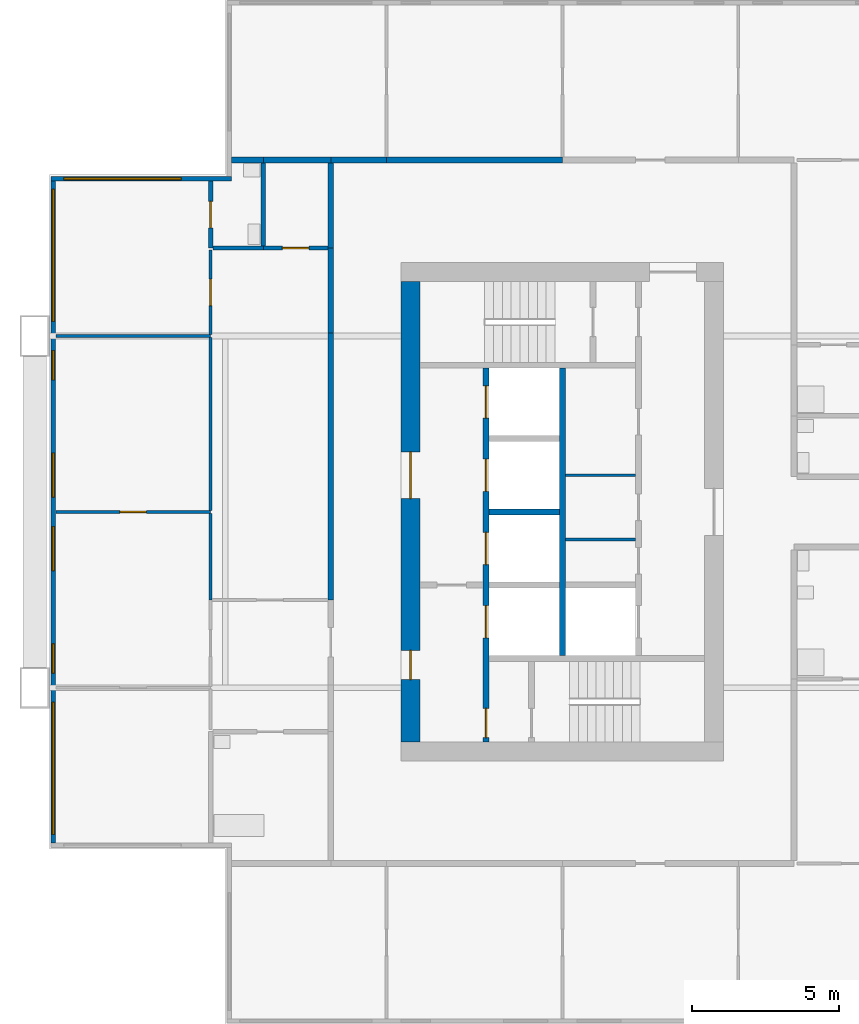
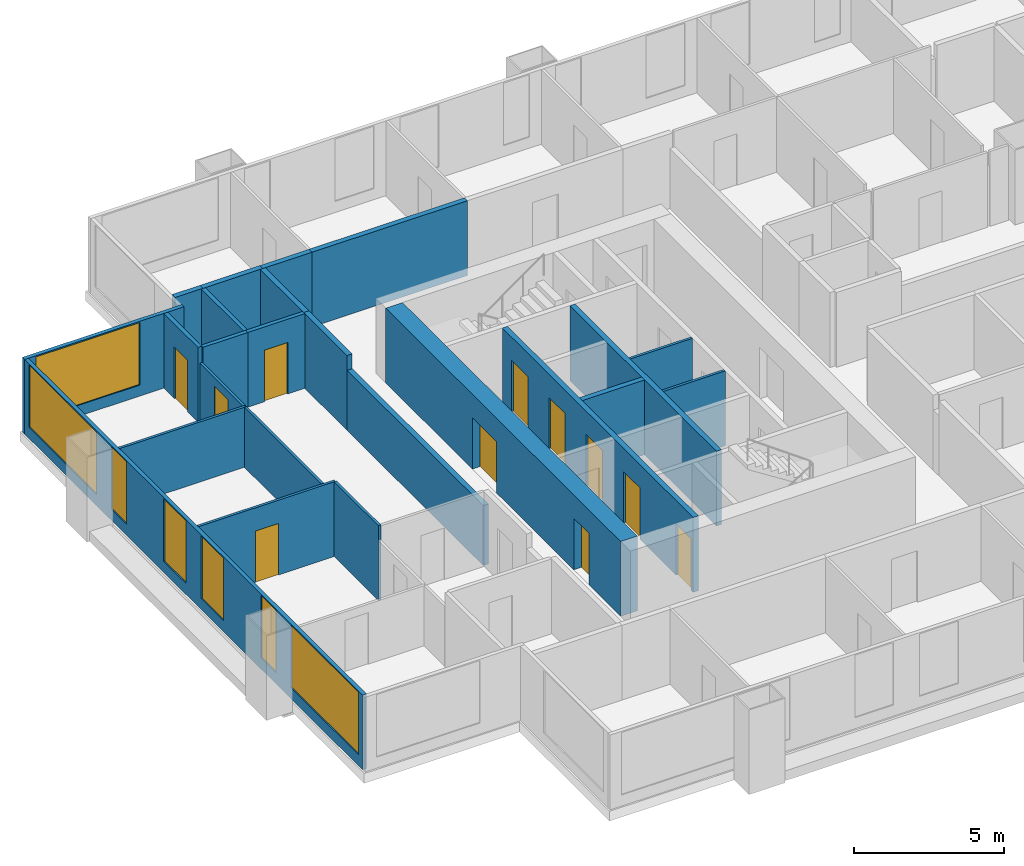
# One storey, part 3 of 12: 24 walls, 11 doors, 7 windows, 18 openings.
"""IFC4 building model written with IfcOpenShell, lengths in metres."""

from ifc_helpers import new_model, si_unit, direction, frame, frame_2d, origin, place, context, subcontext, project, spatial, rectangle, extrude, material, layer, layer_set, type_object, element, fill, save


model = new_model("IFC4")

# Units and contexts
model_context = context("Model", 3, precision=1e-05, world=origin(), true_north=direction((0.0, 1.0)))
body_context = subcontext(model_context, "Body", "Model", "MODEL_VIEW")
ifc_project = project(units=[si_unit("LENGTHUNIT", "METRE"), si_unit("AREAUNIT", "SQUARE_METRE"), si_unit("VOLUMEUNIT", "CUBIC_METRE"), si_unit("PLANEANGLEUNIT", "RADIAN"), si_unit("MASSUNIT", "GRAM", prefix="KILO")], contexts=[model_context])

# Site, building, storey
site_placement = place(None, origin())
site = spatial("IfcSite", under=ifc_project, at=site_placement, CompositionType="ELEMENT")
building_placement = place(site_placement, origin())
building = spatial("IfcBuilding", under=site, at=building_placement, Name="Kitamizu Gate Tower and Museum", CompositionType="ELEMENT")
storey_placement = place(building_placement, frame((0.0, 0.0, 134.550048828125)))
storey = spatial("IfcBuildingStorey", under=building, at=storey_placement, Name="L35", CompositionType="ELEMENT", Elevation=134.550048828125)

# Wall, openings, doors
ifc_material_1 = material(Name="Concrete Fc60", Category="concrete")
ifc_layer_1 = layer(ifc_material_1, 0.64990234375)
ifc_layer_set_1 = layer_set([ifc_layer_1], Name="Concrete Fc60")
wall_type_1 = type_object("IfcWallType", Name="Core wall 650", PredefinedType="SHEAR", material=ifc_layer_set_1)
wall_1_placement = place(storey_placement, frame((12.824951171875, 22.14990234375, 0.0), z_axis=(0.0, 0.0, 1.0), x_axis=(0.0, 1.0, 0.0)))
wall_1 = element("IfcWall", 1, at=wall_1_placement, inside=storey, type_object=wall_type_1, Name="Core wall WOUT", PredefinedType="SHEAR", context=body_context, shape_type="SweptSolid", body=[
    extrude(rectangle(XDim=15.7001953125, YDim=0.64990234375, at=frame_2d((7.85009765625, 0.0))), origin(), (0.0, 0.0, 1.0), 3.050048828125),
])
opening_1_placement = place(wall_1_placement, frame((8.300048828125, 0.0, 0.0)))
opening_1 = element("IfcOpeningElement", 2, at=opening_1_placement, cuts=wall_1, Name="Opening L35-057", PredefinedType="OPENING", context=body_context, shape_type="SweptSolid", body=[
    extrude(rectangle(XDim=1.60009765625, YDim=2.10009765625, at=frame_2d((0.800048828125, 1.050048828125))), frame((0.0, 0.3349609375, 0.0), z_axis=(0.0, -1.0, 0.0), x_axis=(1.0, 0.0, 0.0)), (0.0, 0.0, 1.0), 0.669921875),
])
opening_2_placement = place(wall_1_placement, frame((2.125, 0.0, 0.0)))
opening_2 = element("IfcOpeningElement", 3, at=opening_2_placement, cuts=wall_1, Name="Opening L35-058", PredefinedType="OPENING", context=body_context, shape_type="SweptSolid", body=[
    extrude(rectangle(XDim=1.0, YDim=2.10009765625, at=frame_2d((0.5, 1.050048828125))), frame((0.0, 0.3349609375, 0.0), z_axis=(0.0, -1.0, 0.0), x_axis=(1.0, 0.0, 0.0)), (0.0, 0.0, 1.0), 0.669921875),
])
ifc_material_2 = material(Name="Timber door set", Category="wood")
door_type_1 = type_object("IfcDoorType", Name="Entrance door 1600", OperationType="DOUBLE_DOOR_SINGLE_SWING", PredefinedType="DOOR", material=ifc_material_2)
door_1_placement = place(opening_1_placement, origin())
door_1 = element("IfcDoor", 4, at=door_1_placement, inside=storey, type_object=door_type_1, Name="Lobby door L35-057", OperationType="DOUBLE_DOOR_SINGLE_SWING", OverallHeight=2.10009765625, OverallWidth=1.60009765625, PredefinedType="DOOR", context=body_context, shape_type="SweptSolid", body=[
    extrude(rectangle(XDim=1.60009765625, YDim=2.10009765625, at=frame_2d((0.800048828125, 1.050048828125))), frame((0.0, 0.02490234375, 0.0), z_axis=(0.0, -1.0, 0.0), x_axis=(1.0, 0.0, 0.0)), (0.0, 0.0, 1.0), 0.050048828125),
])
fill(opening_1, door_1)
ifc_material_3 = material(Name="Hollow metal door set")
door_type_2 = type_object("IfcDoorType", Name="Fire door 1000", OperationType="NOTDEFINED", PredefinedType="DOOR", material=ifc_material_3)
door_2_placement = place(opening_2_placement, frame((1.0, 0.0, 0.0), x_axis=(-1.0, 0.0, 0.0)))
door_2 = element("IfcDoor", 5, at=door_2_placement, inside=storey, type_object=door_type_2, Name="Fire-fighting lobby door L35-058", OperationType="SINGLE_SWING_RIGHT", OverallHeight=2.10009765625, OverallWidth=1.0, PredefinedType="DOOR", context=body_context, shape_type="SweptSolid", body=[
    extrude(rectangle(XDim=1.0, YDim=2.10009765625, at=frame_2d((0.5, 1.050048828125))), frame((0.0, 0.02490234375, 0.0), z_axis=(0.0, -1.0, 0.0), x_axis=(1.0, 0.0, 0.0)), (0.0, 0.0, 1.0), 0.050048828125),
])
fill(opening_2, door_2)

# Walls
ifc_material_4 = material(Name="Gypsum board on galvanised stud")
ifc_layer_2 = layer(ifc_material_4, 0.10009765625)
ifc_layer_set_2 = layer_set([ifc_layer_2], Name="Gypsum board on galvanised stud")
wall_type_2 = type_object("IfcWallType", Name="Partition 100", PredefinedType="PARTITIONING", material=ifc_layer_set_2)
for number, where, z_axis, x_axis, name in (
    (6, (18.10009765625, 29.06005859375, 0.0), (0.0, 0.0, 1.0), (1.0, 0.0, 0.0), "Partition WPF1"),
    (7, (18.10009765625, 31.25, 0.0), (0.0, 0.0, 1.0), (1.0, 0.0, 0.0), "Partition WPF2"),
):
    element("IfcWall", number, at=place(storey_placement, frame(where, z_axis=z_axis, x_axis=x_axis)), inside=storey, type_object=wall_type_2, Name=name, PredefinedType="PARTITIONING", context=body_context, shape_type="SweptSolid", body=[
        extrude(rectangle(XDim=2.39990234375, YDim=0.10009765625, at=frame_2d((1.199951171875, 0.0))), origin(), (0.0, 0.0, 1.0), 3.050048828125),
    ])

# Wall, opening, door
ifc_material_5 = material(Name="Gypsum board on galvanised stud")
ifc_layer_3 = layer(ifc_material_5, 0.10009765625)
ifc_layer_set_3 = layer_set([ifc_layer_3], Name="Gypsum board on galvanised stud")
wall_type_3 = type_object("IfcWallType", Name="Partition 100 NOT RATED", PredefinedType="PARTITIONING", material=ifc_layer_set_3)
wall_2_placement = place(storey_placement, frame((6.0, 30.0, 0.0), z_axis=(0.0, 0.0, 1.0), x_axis=(-1.0, 0.0, 0.0)))
wall_2 = element("IfcWall", 8, at=wall_2_placement, inside=storey, type_object=wall_type_3, Name="Partition L35-088", PredefinedType="PARTITIONING", context=body_context, shape_type="SweptSolid", body=[
    extrude(rectangle(XDim=5.280029296875, YDim=0.10009765625, at=frame_2d((2.64013671875, 0.0))), origin(), (0.0, 0.0, 1.0), 3.050048828125),
])
opening_3_placement = place(wall_2_placement, frame((2.18994140625, 0.0, 0.0)))
opening_3 = element("IfcOpeningElement", 9, at=opening_3_placement, cuts=wall_2, Name="Opening L35-032", PredefinedType="OPENING", context=body_context, shape_type="SweptSolid", body=[
    extrude(rectangle(XDim=0.89990234375, YDim=2.10009765625, at=frame_2d((0.449951171875, 1.050048828125))), frame((0.0, 0.06005859375, 0.0), z_axis=(0.0, -1.0, 0.0), x_axis=(1.0, 0.0, 0.0)), (0.0, 0.0, 1.0), 0.1201171875),
])
ifc_material_6 = material(Name="Timber door set", Category="wood")
door_type_3 = type_object("IfcDoorType", Name="Room door 900", OperationType="NOTDEFINED", PredefinedType="DOOR", material=ifc_material_6)
door_3_placement = place(opening_3_placement, origin())
door_3 = element("IfcDoor", 10, at=door_3_placement, inside=storey, type_object=door_type_3, Name="Door L35-032", OperationType="SINGLE_SWING_LEFT", OverallHeight=2.10009765625, OverallWidth=0.89990234375, PredefinedType="DOOR", context=body_context, shape_type="SweptSolid", body=[
    extrude(rectangle(XDim=0.89990234375, YDim=2.10009765625, at=frame_2d((0.449951171875, 1.050048828125))), frame((0.0, 0.02490234375, 0.0), z_axis=(0.0, -1.0, 0.0), x_axis=(1.0, 0.0, 0.0)), (0.0, 0.0, 1.0), 0.050048828125),
])
fill(opening_3, door_3)

# Walls
wall_3_placement = place(storey_placement, frame((6.0, 27.0, 0.0), z_axis=(0.0, 0.0, 1.0), x_axis=(0.0, 1.0, 0.0)))
element("IfcWall", 11, at=wall_3_placement, inside=storey, type_object=wall_type_3, Name="Partition L35-090", PredefinedType="PARTITIONING", context=body_context, shape_type="SweptSolid", body=[
    extrude(rectangle(XDim=2.949951171875, YDim=0.10009765625, at=frame_2d((1.47509765625, 0.0))), origin(), (0.0, 0.0, 1.0), 3.050048828125),
])
wall_4_placement = place(storey_placement, frame((6.0, 36.0, 0.0), z_axis=(0.0, 0.0, 1.0), x_axis=(-1.0, 0.0, 0.0)))
element("IfcWall", 12, at=wall_4_placement, inside=storey, type_object=wall_type_3, Name="Partition L35-091", PredefinedType="PARTITIONING", context=body_context, shape_type="SweptSolid", body=[
    extrude(rectangle(XDim=5.280029296875, YDim=0.10009765625, at=frame_2d((2.64013671875, 0.0))), origin(), (0.0, 0.0, 1.0), 2.449951171875),
])
wall_5_placement = place(storey_placement, frame((6.0, 30.050048828125, 0.0), z_axis=(0.0, 0.0, 1.0), x_axis=(0.0, 1.0, 0.0)))
element("IfcWall", 13, at=wall_5_placement, inside=storey, type_object=wall_type_3, Name="Partition L35-092", PredefinedType="PARTITIONING", context=body_context, shape_type="SweptSolid", body=[
    extrude(rectangle(XDim=5.89990234375, YDim=0.10009765625, at=frame_2d((2.949951171875, 0.0))), origin(), (0.0, 0.0, 1.0), 2.449951171875),
])

# Wall, opening, door
wall_6_placement = place(storey_placement, frame((6.0, 36.050048828125, 0.0), z_axis=(0.0, 0.0, 1.0), x_axis=(0.0, 1.0, 0.0)))
wall_6 = element("IfcWall", 14, at=wall_6_placement, inside=storey, type_object=wall_type_3, Name="Partition L35-093", PredefinedType="PARTITIONING", context=body_context, shape_type="SweptSolid", body=[
    extrude(rectangle(XDim=2.875, YDim=0.10009765625, at=frame_2d((1.4375, 0.0))), origin(), (0.0, 0.0, 1.0), 2.449951171875),
])
opening_4_placement = place(wall_6_placement, frame((0.987548828125, 0.0, 0.0)))
opening_4 = element("IfcOpeningElement", 15, at=opening_4_placement, cuts=wall_6, Name="Opening L35-033", PredefinedType="OPENING", context=body_context, shape_type="SweptSolid", body=[
    extrude(rectangle(XDim=0.89990234375, YDim=2.10009765625, at=frame_2d((0.449951171875, 1.050048828125))), frame((0.0, 0.06005859375, 0.0), z_axis=(0.0, -1.0, 0.0), x_axis=(1.0, 0.0, 0.0)), (0.0, 0.0, 1.0), 0.1201171875),
])
door_4_placement = place(opening_4_placement, origin())
door_4 = element("IfcDoor", 16, at=door_4_placement, inside=storey, type_object=door_type_3, Name="Door L35-033", OperationType="SINGLE_SWING_RIGHT", OverallHeight=2.10009765625, OverallWidth=0.89990234375, PredefinedType="DOOR", context=body_context, shape_type="SweptSolid", body=[
    extrude(rectangle(XDim=0.89990234375, YDim=2.10009765625, at=frame_2d((0.449951171875, 1.050048828125))), frame((0.0, 0.02490234375, 0.0), z_axis=(0.0, -1.0, 0.0), x_axis=(1.0, 0.0, 0.0)), (0.0, 0.0, 1.0), 0.050048828125),
])
fill(opening_4, door_4)

ifc_material_7 = material(Name="Gypsum board on galvanised stud")
ifc_layer_4 = layer(ifc_material_7, 0.14990234375)
ifc_layer_set_4 = layer_set([ifc_layer_4], Name="Gypsum board on galvanised stud")
wall_type_4 = type_object("IfcWallType", Name="Partition 150", PredefinedType="PARTITIONING", material=ifc_layer_set_4)
wall_7_placement = place(storey_placement, frame((6.0, 39.0, 0.0), z_axis=(0.0, 0.0, 1.0), x_axis=(0.0, 1.0, 0.0)))
wall_7 = element("IfcWall", 17, at=wall_7_placement, inside=storey, type_object=wall_type_4, Name="Partition L35-094", PredefinedType="PARTITIONING", context=body_context, shape_type="SweptSolid", body=[
    extrude(rectangle(XDim=2.280029296875, YDim=0.14990234375, at=frame_2d((1.14013671875, 0.0))), origin(), (0.0, 0.0, 1.0), 3.050048828125),
])
opening_5_placement = place(wall_7_placement, frame((0.68994140625, 0.0, 0.0)))
opening_5 = element("IfcOpeningElement", 18, at=opening_5_placement, cuts=wall_7, Name="Opening L35-036", PredefinedType="OPENING", context=body_context, shape_type="SweptSolid", body=[
    extrude(rectangle(XDim=0.89990234375, YDim=2.10009765625, at=frame_2d((0.449951171875, 1.050048828125))), frame((0.0, 0.0849609375, 0.0), z_axis=(0.0, -1.0, 0.0), x_axis=(1.0, 0.0, 0.0)), (0.0, 0.0, 1.0), 0.169921875),
])
ifc_material_8 = material(Name="Timber door set", Category="wood")
door_type_4 = type_object("IfcDoorType", Name="Bathroom door 900", OperationType="NOTDEFINED", PredefinedType="DOOR", material=ifc_material_8)
door_5_placement = place(opening_5_placement, frame((0.89990234375, 0.0, 0.0), x_axis=(-1.0, 0.0, 0.0)))
door_5 = element("IfcDoor", 19, at=door_5_placement, inside=storey, type_object=door_type_4, Name="Bathroom door L35-036", OperationType="SINGLE_SWING_LEFT", OverallHeight=2.10009765625, OverallWidth=0.89990234375, PredefinedType="DOOR", context=body_context, shape_type="SweptSolid", body=[
    extrude(rectangle(XDim=0.89990234375, YDim=2.10009765625, at=frame_2d((0.449951171875, 1.050048828125))), frame((0.0, 0.02490234375, 0.0), z_axis=(0.0, -1.0, 0.0), x_axis=(1.0, 0.0, 0.0)), (0.0, 0.0, 1.0), 0.050048828125),
])
fill(opening_5, door_5)

# Wall
wall_8_placement = place(storey_placement, frame((7.800048828125, 39.0, 0.0), z_axis=(0.0, 0.0, 1.0), x_axis=(-1.0, 0.0, 0.0)))
element("IfcWall", 20, at=wall_8_placement, inside=storey, type_object=wall_type_4, Name="Partition L35-100", PredefinedType="PARTITIONING", context=body_context, shape_type="SweptSolid", body=[
    extrude(rectangle(XDim=1.72509765625, YDim=0.14990234375, at=frame_2d((0.862548828125, 0.0))), origin(), (0.0, 0.0, 1.0), 3.050048828125),
])

# Wall, opening, door
wall_9_placement = place(storey_placement, frame((10.0, 39.0, 0.0), z_axis=(0.0, 0.0, 1.0), x_axis=(-1.0, 0.0, 0.0)))
wall_9 = element("IfcWall", 21, at=wall_9_placement, inside=storey, type_object=wall_type_4, Name="Partition L35-101", PredefinedType="PARTITIONING", context=body_context, shape_type="SweptSolid", body=[
    extrude(rectangle(XDim=2.199951171875, YDim=0.14990234375, at=frame_2d((1.10009765625, 0.0))), origin(), (0.0, 0.0, 1.0), 3.050048828125),
])
opening_6_placement = place(wall_9_placement, frame((0.64990234375, 0.0, 0.0)))
opening_6 = element("IfcOpeningElement", 22, at=opening_6_placement, cuts=wall_9, Name="Opening L35-037", PredefinedType="OPENING", context=body_context, shape_type="SweptSolid", body=[
    extrude(rectangle(XDim=0.89990234375, YDim=2.10009765625, at=frame_2d((0.449951171875, 1.050048828125))), frame((0.0, 0.0849609375, 0.0), z_axis=(0.0, -1.0, 0.0), x_axis=(1.0, 0.0, 0.0)), (0.0, 0.0, 1.0), 0.169921875),
])
door_6_placement = place(opening_6_placement, frame((0.89990234375, 0.0, 0.0), x_axis=(-1.0, 0.0, 0.0)))
door_6 = element("IfcDoor", 23, at=door_6_placement, inside=storey, type_object=door_type_4, Name="Bathroom door L35-037", OperationType="SINGLE_SWING_RIGHT", OverallHeight=2.10009765625, OverallWidth=0.89990234375, PredefinedType="DOOR", context=body_context, shape_type="SweptSolid", body=[
    extrude(rectangle(XDim=0.89990234375, YDim=2.10009765625, at=frame_2d((0.449951171875, 1.050048828125))), frame((0.0, 0.02490234375, 0.0), z_axis=(0.0, -1.0, 0.0), x_axis=(1.0, 0.0, 0.0)), (0.0, 0.0, 1.0), 0.050048828125),
])
fill(opening_6, door_6)

# Walls
wall_10_placement = place(storey_placement, frame((7.800048828125, 39.074951171875, 0.0), z_axis=(0.0, 0.0, 1.0), x_axis=(0.0, 1.0, 0.0)))
element("IfcWall", 24, at=wall_10_placement, inside=storey, type_object=wall_type_4, Name="Partition L35-104", PredefinedType="PARTITIONING", context=body_context, shape_type="SweptSolid", body=[
    extrude(rectangle(XDim=2.824951171875, YDim=0.14990234375, at=frame_2d((1.41259765625, 0.0))), origin(), (0.0, 0.0, 1.0), 3.050048828125),
])
ifc_material_9 = material(Name="Gypsum board on galvanised stud")
ifc_layer_5 = layer(ifc_material_9, 0.199951171875)
ifc_layer_set_5 = layer_set([ifc_layer_5], Name="Gypsum board on galvanised stud")
wall_type_5 = type_object("IfcWallType", Name="Partition 200", PredefinedType="PARTITIONING", material=ifc_layer_set_5)
wall_11_placement = place(storey_placement, frame((6.719970703125, 42.0, 0.0), z_axis=(0.0, 0.0, 1.0), x_axis=(1.0, 0.0, 0.0)))
element("IfcWall", 25, at=wall_11_placement, inside=storey, type_object=wall_type_5, Name="Partition L35-050", PredefinedType="PARTITIONING", context=body_context, shape_type="SweptSolid", body=[
    extrude(rectangle(XDim=1.080078125, YDim=0.199951171875, at=frame_2d((0.5400390625, 0.0))), origin(), (0.0, 0.0, 1.0), 3.050048828125),
])
wall_12_placement = place(storey_placement, frame((7.800048828125, 42.0, 0.0), z_axis=(0.0, 0.0, 1.0), x_axis=(1.0, 0.0, 0.0)))
element("IfcWall", 26, at=wall_12_placement, inside=storey, type_object=wall_type_5, Name="Partition L35-051", PredefinedType="PARTITIONING", context=body_context, shape_type="SweptSolid", body=[
    extrude(rectangle(XDim=2.300048828125, YDim=0.199951171875, at=frame_2d((1.14990234375, 0.0))), origin(), (0.0, 0.0, 1.0), 3.050048828125),
])
wall_13_placement = place(storey_placement, frame((10.10009765625, 42.0, 0.0), z_axis=(0.0, 0.0, 1.0), x_axis=(1.0, 0.0, 0.0)))
element("IfcWall", 27, at=wall_13_placement, inside=storey, type_object=wall_type_5, Name="Partition L35-052", PredefinedType="PARTITIONING", context=body_context, shape_type="SweptSolid", body=[
    extrude(rectangle(XDim=1.89990234375, YDim=0.199951171875, at=frame_2d((0.949951171875, 0.0))), origin(), (0.0, 0.0, 1.0), 3.050048828125),
])
wall_14_placement = place(storey_placement, frame((12.0, 42.0, 0.0), z_axis=(0.0, 0.0, 1.0), x_axis=(1.0, 0.0, 0.0)))
element("IfcWall", 28, at=wall_14_placement, inside=storey, type_object=wall_type_5, Name="Partition L35-054", PredefinedType="PARTITIONING", context=body_context, shape_type="SweptSolid", body=[
    extrude(rectangle(XDim=6.0, YDim=0.199951171875, at=frame_2d((3.0, 0.0))), origin(), (0.0, 0.0, 1.0), 3.050048828125),
])
wall_15_placement = place(storey_placement, frame((10.10009765625, 27.0, 0.0), z_axis=(0.0, 0.0, 1.0), x_axis=(0.0, 1.0, 0.0)))
element("IfcWall", 29, at=wall_15_placement, inside=storey, type_object=wall_type_5, Name="Partition L35-102", PredefinedType="PARTITIONING", context=body_context, shape_type="SweptSolid", body=[
    extrude(rectangle(XDim=9.10009765625, YDim=0.199951171875, at=frame_2d((4.550048828125, 0.0))), origin(), (0.0, 0.0, 1.0), 2.449951171875),
])
for number, where, z_axis, x_axis, name in (
    (30, (10.10009765625, 36.10009765625, 0.0), (0.0, 0.0, 1.0), (0.0, 1.0, 0.0), "Partition L35-103"),
    (31, (10.10009765625, 39.0, 0.0), (0.0, 0.0, 1.0), (0.0, 1.0, 0.0), "Partition L35-105"),
):
    element("IfcWall", number, at=place(storey_placement, frame(where, z_axis=z_axis, x_axis=x_axis)), inside=storey, type_object=wall_type_5, Name=name, PredefinedType="PARTITIONING", context=body_context, shape_type="SweptSolid", body=[
        extrude(rectangle(XDim=2.89990234375, YDim=0.199951171875, at=frame_2d((1.449951171875, 0.0))), origin(), (0.0, 0.0, 1.0), 3.050048828125),
    ])

# Wall, openings, doors
ifc_material_10 = material(Name="Concrete Fc42", Category="concrete")
ifc_layer_6 = layer(ifc_material_10, 0.199951171875)
ifc_layer_set_6 = layer_set([ifc_layer_6], Name="Concrete Fc42")
wall_type_6 = type_object("IfcWallType", Name="Shaft wall 200", PredefinedType="SOLIDWALL", material=ifc_layer_set_6)
wall_16_placement = place(storey_placement, frame((15.39990234375, 22.14990234375, 0.0), z_axis=(0.0, 0.0, 1.0), x_axis=(0.0, 1.0, 0.0)))
wall_16 = element("IfcWall", 32, at=wall_16_placement, inside=storey, type_object=wall_type_6, Name="Shaft wall WWEST", PredefinedType="SOLIDWALL", context=body_context, shape_type="SweptSolid", body=[
    extrude(rectangle(XDim=12.75, YDim=0.199951171875, at=frame_2d((6.375, 0.0))), origin(), (0.0, 0.0, 1.0), 3.050048828125),
])
opening_7_placement = place(wall_16_placement, frame((3.550048828125, 0.0, 0.0)))
opening_7 = element("IfcOpeningElement", 33, at=opening_7_placement, cuts=wall_16, Name="Opening LD", PredefinedType="OPENING", context=body_context, shape_type="SweptSolid", body=[
    extrude(rectangle(XDim=1.10009765625, YDim=2.10009765625, at=frame_2d((0.550048828125, 1.050048828125))), frame((0.0, 0.10986328125, 0.0), z_axis=(0.0, -1.0, 0.0), x_axis=(1.0, 0.0, 0.0)), (0.0, 0.0, 1.0), 0.219970703125),
])
opening_8_placement = place(wall_16_placement, frame((6.050048828125, 0.0, 0.0)))
opening_8 = element("IfcOpeningElement", 34, at=opening_8_placement, cuts=wall_16, Name="Opening LD", PredefinedType="OPENING", context=body_context, shape_type="SweptSolid", body=[
    extrude(rectangle(XDim=1.10009765625, YDim=2.10009765625, at=frame_2d((0.550048828125, 1.050048828125))), frame((0.0, 0.10986328125, 0.0), z_axis=(0.0, -1.0, 0.0), x_axis=(1.0, 0.0, 0.0)), (0.0, 0.0, 1.0), 0.219970703125),
])
opening_9_placement = place(wall_16_placement, frame((8.550048828125, 0.0, 0.0)))
opening_9 = element("IfcOpeningElement", 35, at=opening_9_placement, cuts=wall_16, Name="Opening LD", PredefinedType="OPENING", context=body_context, shape_type="SweptSolid", body=[
    extrude(rectangle(XDim=1.10009765625, YDim=2.10009765625, at=frame_2d((0.550048828125, 1.050048828125))), frame((0.0, 0.10986328125, 0.0), z_axis=(0.0, -1.0, 0.0), x_axis=(1.0, 0.0, 0.0)), (0.0, 0.0, 1.0), 0.219970703125),
])
opening_10_placement = place(wall_16_placement, frame((11.050048828125, 0.0, 0.0)))
opening_10 = element("IfcOpeningElement", 36, at=opening_10_placement, cuts=wall_16, Name="Opening LD", PredefinedType="OPENING", context=body_context, shape_type="SweptSolid", body=[
    extrude(rectangle(XDim=1.10009765625, YDim=2.10009765625, at=frame_2d((0.550048828125, 1.050048828125))), frame((0.0, 0.10986328125, 0.0), z_axis=(0.0, -1.0, 0.0), x_axis=(1.0, 0.0, 0.0)), (0.0, 0.0, 1.0), 0.219970703125),
])
opening_11_placement = place(wall_16_placement, frame((0.14990234375, 0.0, 0.0)))
opening_11 = element("IfcOpeningElement", 37, at=opening_11_placement, cuts=wall_16, Name="Opening L35-053", PredefinedType="OPENING", context=body_context, shape_type="SweptSolid", body=[
    extrude(rectangle(XDim=1.0, YDim=2.10009765625, at=frame_2d((0.5, 1.050048828125))), frame((0.0, 0.10986328125, 0.0), z_axis=(0.0, -1.0, 0.0), x_axis=(1.0, 0.0, 0.0)), (0.0, 0.0, 1.0), 0.219970703125),
])
door_7_placement = place(opening_11_placement, frame((1.0, 0.0, 0.0), x_axis=(-1.0, 0.0, 0.0)))
door_7 = element("IfcDoor", 38, at=door_7_placement, inside=storey, type_object=door_type_2, Name="Stair lobby door L35-053", OperationType="SINGLE_SWING_LEFT", OverallHeight=2.10009765625, OverallWidth=1.0, PredefinedType="DOOR", context=body_context, shape_type="SweptSolid", body=[
    extrude(rectangle(XDim=1.0, YDim=2.10009765625, at=frame_2d((0.5, 1.050048828125))), frame((0.0, 0.02490234375, 0.0), z_axis=(0.0, -1.0, 0.0), x_axis=(1.0, 0.0, 0.0)), (0.0, 0.0, 1.0), 0.050048828125),
])
fill(opening_11, door_7)
ifc_material_11 = material(Name="Hollow metal door set")
door_type_5 = type_object("IfcDoorType", Name="Landing door 1100", OperationType="SLIDING_TO_LEFT", PredefinedType="DOOR", material=ifc_material_11)
door_8_placement = place(opening_7_placement, origin())
door_8 = element("IfcDoor", 39, at=door_8_placement, inside=storey, type_object=door_type_5, Name="Landing door WFF1", OperationType="SLIDING_TO_LEFT", OverallHeight=2.10009765625, OverallWidth=1.10009765625, PredefinedType="DOOR", context=body_context, shape_type="SweptSolid", body=[
    extrude(rectangle(XDim=1.10009765625, YDim=2.10009765625, at=frame_2d((0.550048828125, 1.050048828125))), frame((0.0, 0.02490234375, 0.0), z_axis=(0.0, -1.0, 0.0), x_axis=(1.0, 0.0, 0.0)), (0.0, 0.0, 1.0), 0.050048828125),
])
fill(opening_7, door_8)
door_9_placement = place(opening_8_placement, origin())
door_9 = element("IfcDoor", 40, at=door_9_placement, inside=storey, type_object=door_type_5, Name="Landing door WL1", OperationType="SLIDING_TO_LEFT", OverallHeight=2.10009765625, OverallWidth=1.10009765625, PredefinedType="DOOR", context=body_context, shape_type="SweptSolid", body=[
    extrude(rectangle(XDim=1.10009765625, YDim=2.10009765625, at=frame_2d((0.550048828125, 1.050048828125))), frame((0.0, 0.02490234375, 0.0), z_axis=(0.0, -1.0, 0.0), x_axis=(1.0, 0.0, 0.0)), (0.0, 0.0, 1.0), 0.050048828125),
])
fill(opening_8, door_9)
door_10_placement = place(opening_9_placement, origin())
door_10 = element("IfcDoor", 41, at=door_10_placement, inside=storey, type_object=door_type_5, Name="Landing door WL2", OperationType="SLIDING_TO_LEFT", OverallHeight=2.10009765625, OverallWidth=1.10009765625, PredefinedType="DOOR", context=body_context, shape_type="SweptSolid", body=[
    extrude(rectangle(XDim=1.10009765625, YDim=2.10009765625, at=frame_2d((0.550048828125, 1.050048828125))), frame((0.0, 0.02490234375, 0.0), z_axis=(0.0, -1.0, 0.0), x_axis=(1.0, 0.0, 0.0)), (0.0, 0.0, 1.0), 0.050048828125),
])
fill(opening_9, door_10)
door_11_placement = place(opening_10_placement, origin())
door_11 = element("IfcDoor", 42, at=door_11_placement, inside=storey, type_object=door_type_5, Name="Landing door WL3", OperationType="SLIDING_TO_LEFT", OverallHeight=2.10009765625, OverallWidth=1.10009765625, PredefinedType="DOOR", context=body_context, shape_type="SweptSolid", body=[
    extrude(rectangle(XDim=1.10009765625, YDim=2.10009765625, at=frame_2d((0.550048828125, 1.050048828125))), frame((0.0, 0.02490234375, 0.0), z_axis=(0.0, -1.0, 0.0), x_axis=(1.0, 0.0, 0.0)), (0.0, 0.0, 1.0), 0.050048828125),
])
fill(opening_10, door_11)

# Walls
wall_17_placement = place(storey_placement, frame((18.0, 25.10009765625, 0.0), z_axis=(0.0, 0.0, 1.0), x_axis=(0.0, 1.0, 0.0)))
element("IfcWall", 43, at=wall_17_placement, inside=storey, type_object=wall_type_6, Name="Shaft wall WMID", PredefinedType="SOLIDWALL", context=body_context, shape_type="SweptSolid", body=[
    extrude(rectangle(XDim=9.7998046875, YDim=0.199951171875, at=frame_2d((4.89990234375, 0.0))), origin(), (0.0, 0.0, 1.0), 3.050048828125),
])
wall_18_placement = place(storey_placement, frame((15.5, 30.0, 0.0), z_axis=(0.0, 0.0, 1.0), x_axis=(1.0, 0.0, 0.0)))
element("IfcWall", 44, at=wall_18_placement, inside=storey, type_object=wall_type_6, Name="Shaft wall WDVW1", PredefinedType="SOLIDWALL", context=body_context, shape_type="SweptSolid", body=[
    extrude(rectangle(XDim=2.39990234375, YDim=0.199951171875, at=frame_2d((1.199951171875, 0.0))), origin(), (0.0, 0.0, 1.0), 3.050048828125),
])

# Wall, opening, window
ifc_material_12 = material(Name="Bronze anodised aluminium frame with insulated spandrel and tinted glass", Category="aluminium")
ifc_layer_7 = layer(ifc_material_12, 0.14990234375)
ifc_layer_set_7 = layer_set([ifc_layer_7], Name="Bronze anodised aluminium frame with insulated spandrel and tinted glass")
wall_type_7 = type_object("IfcWallType", Name="WINDOW WALL 150 BRONZE FRAME EI 30", PredefinedType="ELEMENTEDWALL", material=ifc_layer_set_7)
wall_19_placement = place(storey_placement, frame((0.56005859375, 41.364990234375, 0.0), z_axis=(0.0, 0.0, 1.0), x_axis=(1.0, 0.0, 0.0)))
wall_19 = element("IfcWall", 45, at=wall_19_placement, inside=storey, type_object=wall_type_7, Name="Window wall north L35", PredefinedType="ELEMENTEDWALL", context=body_context, shape_type="SweptSolid", body=[
    extrude(rectangle(XDim=6.14990234375, YDim=0.14990234375, at=frame_2d((3.074951171875, 0.0))), origin(), (0.0, 0.0, 1.0), 3.050048828125),
])
opening_12_placement = place(wall_19_placement, frame((0.43994140625, 0.0, 0.449951171875)))
opening_12 = element("IfcOpeningElement", 46, at=opening_12_placement, cuts=wall_19, Name="Opening W16", PredefinedType="OPENING", context=body_context, shape_type="SweptSolid", body=[
    extrude(rectangle(XDim=4.0, YDim=2.550048828125, at=frame_2d((2.0, 1.27490234375))), frame((0.0, 0.0849609375, 0.0), z_axis=(0.0, -1.0, 0.0), x_axis=(1.0, 0.0, 0.0)), (0.0, 0.0, 1.0), 0.169921875),
])
ifc_material_13 = material(Name="Bronze anodised aluminium frame, tinted triple glazing", Category="aluminium")
window_type_1 = type_object("IfcWindowType", Name="WINDOW 4000 x 2550 SILL 450", PartitioningType="SINGLE_PANEL", PredefinedType="WINDOW", material=ifc_material_13)
window_1_placement = place(opening_12_placement, origin())
window_1 = element("IfcWindow", 47, at=window_1_placement, inside=storey, type_object=window_type_1, Name="Window W16 L35", OverallHeight=2.550048828125, OverallWidth=4.0, PartitioningType="SINGLE_PANEL", PredefinedType="WINDOW", context=body_context, shape_type="SweptSolid", body=[
    extrude(rectangle(XDim=4.0, YDim=2.550048828125, at=frame_2d((2.0, 1.27490234375))), frame((0.0, 0.030029296875, 0.0), z_axis=(0.0, -1.0, 0.0), x_axis=(1.0, 0.0, 0.0)), (0.0, 0.0, 1.0), 0.06005859375),
])
fill(opening_12, window_1)

# Wall, openings, windows
wall_20_placement = place(storey_placement, frame((0.635009765625, 18.7099609375, 0.0), z_axis=(0.0, 0.0, 1.0), x_axis=(0.0, 1.0, 0.0)))
wall_20 = element("IfcWall", 48, at=wall_20_placement, inside=storey, type_object=wall_type_7, Name="Window wall west L35", PredefinedType="ELEMENTEDWALL", context=body_context, shape_type="SweptSolid", body=[
    extrude(rectangle(XDim=22.580078125, YDim=0.14990234375, at=frame_2d((11.2900390625, 0.0))), origin(), (0.0, 0.0, 1.0), 3.050048828125),
])
opening_13_placement = place(wall_20_placement, frame((0.2900390625, 0.0, 0.449951171875)))
opening_13 = element("IfcOpeningElement", 49, at=opening_13_placement, cuts=wall_20, Name="Opening W15", PredefinedType="OPENING", context=body_context, shape_type="SweptSolid", body=[
    extrude(rectangle(XDim=4.5, YDim=2.550048828125, at=frame_2d((2.25, 1.27490234375))), frame((0.0, 0.0849609375, 0.0), z_axis=(0.0, -1.0, 0.0), x_axis=(1.0, 0.0, 0.0)), (0.0, 0.0, 1.0), 0.169921875),
])
opening_14_placement = place(wall_20_placement, frame((5.7900390625, 0.0, 0.449951171875)))
opening_14 = element("IfcOpeningElement", 50, at=opening_14_placement, cuts=wall_20, Name="Opening W26", PredefinedType="OPENING", context=body_context, shape_type="SweptSolid", body=[
    extrude(rectangle(XDim=1.0, YDim=2.550048828125, at=frame_2d((0.5, 1.27490234375))), frame((0.0, 0.0849609375, 0.0), z_axis=(0.0, -1.0, 0.0), x_axis=(1.0, 0.0, 0.0)), (0.0, 0.0, 1.0), 0.169921875),
])
opening_15_placement = place(wall_20_placement, frame((9.2900390625, 0.0, 0.449951171875)))
opening_15 = element("IfcOpeningElement", 51, at=opening_15_placement, cuts=wall_20, Name="Opening W28", PredefinedType="OPENING", context=body_context, shape_type="SweptSolid", body=[
    extrude(rectangle(XDim=1.5, YDim=2.550048828125, at=frame_2d((0.75, 1.27490234375))), frame((0.0, 0.0849609375, 0.0), z_axis=(0.0, -1.0, 0.0), x_axis=(1.0, 0.0, 0.0)), (0.0, 0.0, 1.0), 0.169921875),
])
opening_16_placement = place(wall_20_placement, frame((11.7900390625, 0.0, 0.449951171875)))
opening_16 = element("IfcOpeningElement", 52, at=opening_16_placement, cuts=wall_20, Name="Opening W28", PredefinedType="OPENING", context=body_context, shape_type="SweptSolid", body=[
    extrude(rectangle(XDim=1.5, YDim=2.550048828125, at=frame_2d((0.75, 1.27490234375))), frame((0.0, 0.0849609375, 0.0), z_axis=(0.0, -1.0, 0.0), x_axis=(1.0, 0.0, 0.0)), (0.0, 0.0, 1.0), 0.169921875),
])
opening_17_placement = place(wall_20_placement, frame((15.7900390625, 0.0, 0.449951171875)))
opening_17 = element("IfcOpeningElement", 53, at=opening_17_placement, cuts=wall_20, Name="Opening W26", PredefinedType="OPENING", context=body_context, shape_type="SweptSolid", body=[
    extrude(rectangle(XDim=1.0, YDim=2.550048828125, at=frame_2d((0.5, 1.27490234375))), frame((0.0, 0.0849609375, 0.0), z_axis=(0.0, -1.0, 0.0), x_axis=(1.0, 0.0, 0.0)), (0.0, 0.0, 1.0), 0.169921875),
])
opening_18_placement = place(wall_20_placement, frame((17.7900390625, 0.0, 0.449951171875)))
opening_18 = element("IfcOpeningElement", 54, at=opening_18_placement, cuts=wall_20, Name="Opening W15", PredefinedType="OPENING", context=body_context, shape_type="SweptSolid", body=[
    extrude(rectangle(XDim=4.5, YDim=2.550048828125, at=frame_2d((2.25, 1.27490234375))), frame((0.0, 0.0849609375, 0.0), z_axis=(0.0, -1.0, 0.0), x_axis=(1.0, 0.0, 0.0)), (0.0, 0.0, 1.0), 0.169921875),
])
ifc_material_14 = material(Name="Bronze anodised aluminium frame, tinted triple glazing", Category="aluminium")
window_type_2 = type_object("IfcWindowType", Name="WINDOW 1000 x 2550 SILL 450", PartitioningType="SINGLE_PANEL", PredefinedType="WINDOW", material=ifc_material_14)
window_2_placement = place(opening_14_placement, origin())
window_2 = element("IfcWindow", 55, at=window_2_placement, inside=storey, type_object=window_type_2, Name="Window W26 L35", OverallHeight=2.550048828125, OverallWidth=1.0, PartitioningType="SINGLE_PANEL", PredefinedType="WINDOW", context=body_context, shape_type="SweptSolid", body=[
    extrude(rectangle(XDim=1.0, YDim=2.550048828125, at=frame_2d((0.5, 1.27490234375))), frame((0.0, 0.030029296875, 0.0), z_axis=(0.0, -1.0, 0.0), x_axis=(1.0, 0.0, 0.0)), (0.0, 0.0, 1.0), 0.06005859375),
])
fill(opening_14, window_2)
window_3_placement = place(opening_17_placement, origin())
window_3 = element("IfcWindow", 56, at=window_3_placement, inside=storey, type_object=window_type_2, Name="Window W26 L35", OverallHeight=2.550048828125, OverallWidth=1.0, PartitioningType="SINGLE_PANEL", PredefinedType="WINDOW", context=body_context, shape_type="SweptSolid", body=[
    extrude(rectangle(XDim=1.0, YDim=2.550048828125, at=frame_2d((0.5, 1.27490234375))), frame((0.0, 0.030029296875, 0.0), z_axis=(0.0, -1.0, 0.0), x_axis=(1.0, 0.0, 0.0)), (0.0, 0.0, 1.0), 0.06005859375),
])
fill(opening_17, window_3)
ifc_material_15 = material(Name="Bronze anodised aluminium frame, tinted triple glazing", Category="aluminium")
window_type_3 = type_object("IfcWindowType", Name="WINDOW 1500 x 2550 SILL 450", PartitioningType="SINGLE_PANEL", PredefinedType="WINDOW", material=ifc_material_15)
window_4_placement = place(opening_15_placement, origin())
window_4 = element("IfcWindow", 57, at=window_4_placement, inside=storey, type_object=window_type_3, Name="Window W28 L35", OverallHeight=2.550048828125, OverallWidth=1.5, PartitioningType="SINGLE_PANEL", PredefinedType="WINDOW", context=body_context, shape_type="SweptSolid", body=[
    extrude(rectangle(XDim=1.5, YDim=2.550048828125, at=frame_2d((0.75, 1.27490234375))), frame((0.0, 0.030029296875, 0.0), z_axis=(0.0, -1.0, 0.0), x_axis=(1.0, 0.0, 0.0)), (0.0, 0.0, 1.0), 0.06005859375),
])
fill(opening_15, window_4)
window_5_placement = place(opening_16_placement, origin())
window_5 = element("IfcWindow", 58, at=window_5_placement, inside=storey, type_object=window_type_3, Name="Window W28 L35", OverallHeight=2.550048828125, OverallWidth=1.5, PartitioningType="SINGLE_PANEL", PredefinedType="WINDOW", context=body_context, shape_type="SweptSolid", body=[
    extrude(rectangle(XDim=1.5, YDim=2.550048828125, at=frame_2d((0.75, 1.27490234375))), frame((0.0, 0.030029296875, 0.0), z_axis=(0.0, -1.0, 0.0), x_axis=(1.0, 0.0, 0.0)), (0.0, 0.0, 1.0), 0.06005859375),
])
fill(opening_16, window_5)
ifc_material_16 = material(Name="Bronze anodised aluminium frame, tinted triple glazing", Category="aluminium")
window_type_4 = type_object("IfcWindowType", Name="WINDOW 4500 x 2550 SILL 450", PartitioningType="SINGLE_PANEL", PredefinedType="WINDOW", material=ifc_material_16)
window_6_placement = place(opening_13_placement, origin())
window_6 = element("IfcWindow", 59, at=window_6_placement, inside=storey, type_object=window_type_4, Name="Window W15 L35", OverallHeight=2.550048828125, OverallWidth=4.5, PartitioningType="SINGLE_PANEL", PredefinedType="WINDOW", context=body_context, shape_type="SweptSolid", body=[
    extrude(rectangle(XDim=4.5, YDim=2.550048828125, at=frame_2d((2.25, 1.27490234375))), frame((0.0, 0.030029296875, 0.0), z_axis=(0.0, -1.0, 0.0), x_axis=(1.0, 0.0, 0.0)), (0.0, 0.0, 1.0), 0.06005859375),
])
fill(opening_13, window_6)
window_7_placement = place(opening_18_placement, origin())
window_7 = element("IfcWindow", 60, at=window_7_placement, inside=storey, type_object=window_type_4, Name="Window W15 L35", OverallHeight=2.550048828125, OverallWidth=4.5, PartitioningType="SINGLE_PANEL", PredefinedType="WINDOW", context=body_context, shape_type="SweptSolid", body=[
    extrude(rectangle(XDim=4.5, YDim=2.550048828125, at=frame_2d((2.25, 1.27490234375))), frame((0.0, 0.030029296875, 0.0), z_axis=(0.0, -1.0, 0.0), x_axis=(1.0, 0.0, 0.0)), (0.0, 0.0, 1.0), 0.06005859375),
])
fill(opening_18, window_7)

save(model, "model.ifc")
